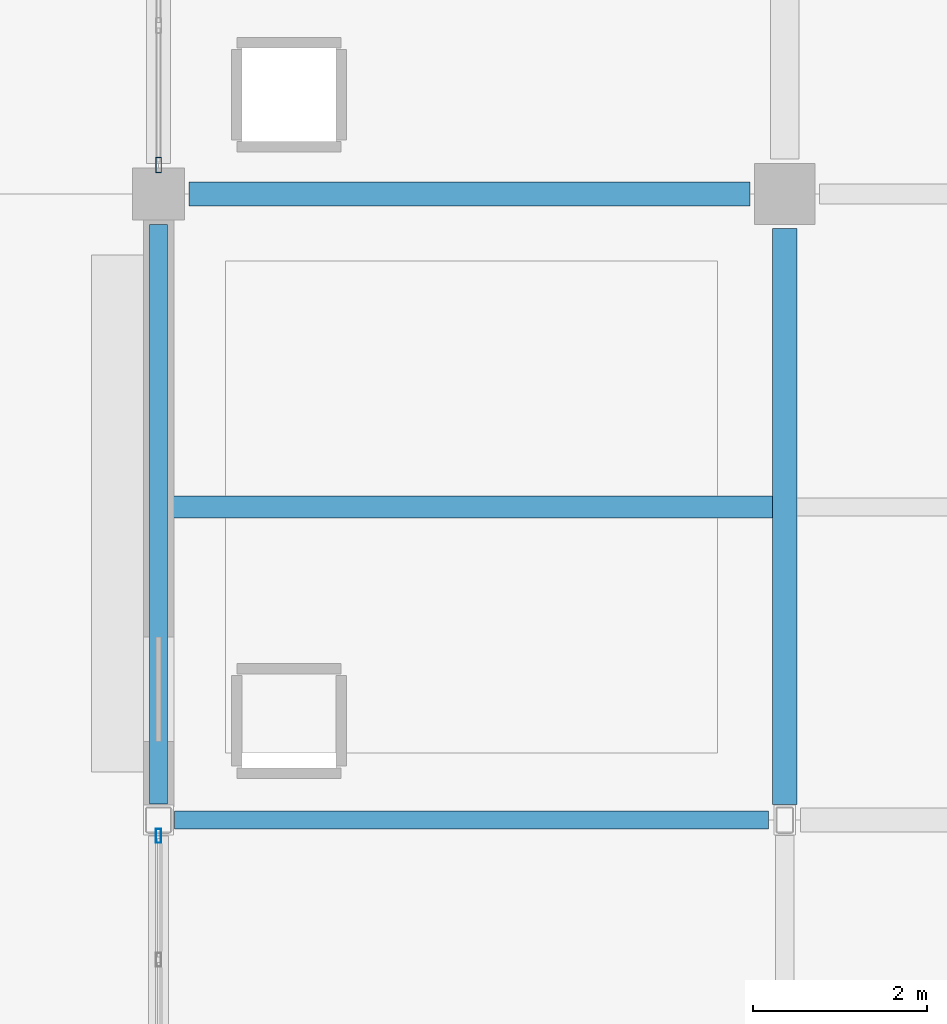
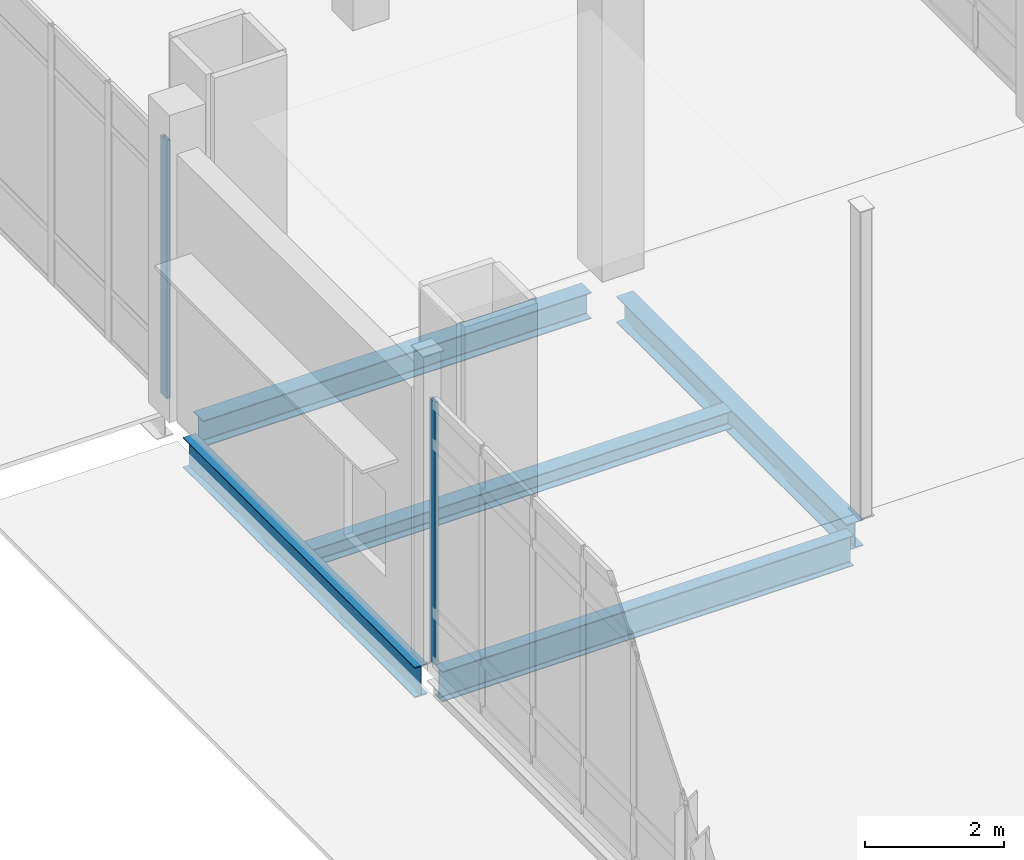
# One storey, part 68 of 229: 5 beams, 2 members, 2 elements without a shape of their own.
"""IFC4 building model written with IfcOpenShell, lengths in metres."""

from ifc_helpers import new_model, si_unit, direction, frame, origin, origin_2d, place, context, subcontext, project, spatial, hollow_rectangle, i_section, extrude, material, layer, layer_set, material_profile, profile_set, type_object, element, aggregate, save


model = new_model("IFC4")

# Units and contexts
model_context = context("Model", 3, precision=1e-05, world=origin(), true_north=direction((0.0, 1.0)))
body_context = subcontext(model_context, "Body", "Model", "MODEL_VIEW")
ifc_project = project(units=[si_unit("LENGTHUNIT", "METRE"), si_unit("AREAUNIT", "SQUARE_METRE"), si_unit("VOLUMEUNIT", "CUBIC_METRE"), si_unit("PLANEANGLEUNIT", "RADIAN"), si_unit("MASSUNIT", "GRAM", prefix="KILO")], contexts=[model_context])

# Site, building, storey
site_placement = place(None, origin())
site = spatial("IfcSite", under=ifc_project, at=site_placement, CompositionType="ELEMENT")
building_placement = place(site_placement, origin())
building = spatial("IfcBuilding", under=site, at=building_placement, Name="Calvrana Isthmian Art Gallery", CompositionType="ELEMENT")
storey_placement = place(building_placement, origin())
storey = spatial("IfcBuildingStorey", under=building, at=storey_placement, Name="L00", CompositionType="ELEMENT", Elevation=0.0)

# Beams
ifc_material_1 = material(Name="Steel ASTM A992 Gr 50", Category="steel")
ifc_material_profile_1 = material_profile(ifc_material_1, i_section(OverallWidth=0.279052734375, OverallDepth=0.4619140625, WebThickness=0.0107421875, FlangeThickness=0.017333984375, FilletRadius=0.02001953125, at=origin_2d()), Name="W18X76")
ifc_profile_set_1 = profile_set([ifc_material_profile_1], Name="Steel ASTM A992 Gr 50")
beam_type_1 = type_object("IfcBeamType", Name="BM-G-W18X76", PredefinedType="BEAM", material=ifc_profile_set_1)
beam_1_placement = place(storey_placement, frame((0.35009765625, 76.800048828125, -0.51611328125), z_axis=(1.0, 0.0, 0.0), x_axis=(0.0, 1.0, 0.0)))
element("IfcBeam", 1, at=beam_1_placement, inside=storey, type_object=beam_type_1, Name="Girder X L00 01-02/K", PredefinedType="BEAM", context=body_context, shape_type="SweptSolid", body=[
    extrude(i_section(OverallWidth=0.279052734375, OverallDepth=0.4619140625, WebThickness=0.0107421875, FlangeThickness=0.017333984375, FilletRadius=0.02001953125, at=origin_2d()), origin(), (0.0, 0.0, 1.0), 6.449951171875),
])
beam_2_placement = place(storey_placement, frame((7.199951171875, 69.778076171875, -0.51611328125), z_axis=(0.0, 1.0, 0.0), x_axis=(-1.0, 0.0, 0.0)))
element("IfcBeam", 2, at=beam_2_placement, inside=storey, type_object=beam_type_1, Name="Girder Y L00 02/J-K", PredefinedType="BEAM", context=body_context, shape_type="SweptSolid", body=[
    extrude(i_section(OverallWidth=0.279052734375, OverallDepth=0.4619140625, WebThickness=0.0107421875, FlangeThickness=0.017333984375, FilletRadius=0.02001953125, at=origin_2d()), origin(), (0.0, 0.0, 1.0), 6.621826171875),
])
ifc_material_profile_2 = material_profile(ifc_material_1, i_section(OverallWidth=0.208984375, OverallDepth=0.532958984375, WebThickness=0.01025390625, FlangeThickness=0.015625, FilletRadius=0.02099609375, at=origin_2d()), Name="W21X62")
ifc_profile_set_2 = profile_set([ifc_material_profile_2], Name="Steel ASTM A992 Gr 50")
beam_type_2 = type_object("IfcBeamType", Name="BM-G-W21X62", PredefinedType="BEAM", material=ifc_profile_set_2)
beam_3_placement = place(storey_placement, frame((0.185546875, 69.60009765625, -0.551513671875), z_axis=(1.0, 0.0, 0.0), x_axis=(0.0, 1.0, 0.0)))
element("IfcBeam", 3, at=beam_3_placement, inside=storey, type_object=beam_type_2, Name="Girder X L00 01-02/J", PredefinedType="BEAM", context=body_context, shape_type="SweptSolid", body=[
    extrude(i_section(OverallWidth=0.208984375, OverallDepth=0.532958984375, WebThickness=0.01025390625, FlangeThickness=0.015625, FilletRadius=0.02099609375, at=origin_2d()), origin(), (0.0, 0.0, 1.0), 6.83056640625),
])
beam_4_placement = place(storey_placement, frame((0.0, 69.781494140625, -0.551513671875), z_axis=(0.0, 1.0, 0.0), x_axis=(-1.0, 0.0, 0.0)))
element("IfcBeam", 4, at=beam_4_placement, inside=storey, type_object=beam_type_2, Name="Girder Y L00 01/J-K", PredefinedType="BEAM", context=body_context, shape_type="SweptSolid", body=[
    extrude(i_section(OverallWidth=0.208984375, OverallDepth=0.532958984375, WebThickness=0.01025390625, FlangeThickness=0.015625, FilletRadius=0.02099609375, at=origin_2d()), origin(), (0.0, 0.0, 1.0), 6.66845703125),
])
ifc_material_profile_3 = material_profile(ifc_material_1, i_section(OverallWidth=0.25390625, OverallDepth=0.306884765625, WebThickness=0.0087890625, FlangeThickness=0.0146484375, FilletRadius=0.01611328125, at=origin_2d()), Name="W12X53")
ifc_profile_set_3 = profile_set([ifc_material_profile_3], Name="Steel ASTM A992 Gr 50")
beam_type_3 = type_object("IfcBeamType", Name="BM-J-W12X53", PredefinedType="JOIST", material=ifc_profile_set_3)
beam_5_placement = place(storey_placement, frame((0.1044921875, 73.199951171875, -0.4384765625), z_axis=(1.0, 0.0, 0.0), x_axis=(0.0, 1.0, 0.0)))
element("IfcBeam", 5, at=beam_5_placement, inside=storey, type_object=beam_type_3, Name="Composite joist L00 bay 00-09", PredefinedType="JOIST", context=body_context, shape_type="SweptSolid", body=[
    extrude(i_section(OverallWidth=0.25390625, OverallDepth=0.306884765625, WebThickness=0.0087890625, FlangeThickness=0.0146484375, FilletRadius=0.01611328125, at=origin_2d()), origin(), (0.0, 0.0, 1.0), 6.9560546875),
])

# Curtain wall, member
ifc_material_2 = material(Name="Anodized bronze aluminium 6063-T6", Category="aluminium")
ifc_layer_1 = layer(ifc_material_2, 0.179931640625, Name="Anodized bronze aluminium 6063-T6")
ifc_layer_set_1 = layer_set([ifc_layer_1], Name="Anodized bronze aluminium 6063-T6")
curtain_wall_type_1 = type_object("IfcCurtainWallType", Name="CW-STICK-073X46", PredefinedType="NOTDEFINED", material=ifc_layer_set_1)
curtain_wall_1_placement = place(storey_placement, origin())
curtain_wall_1 = element("IfcCurtainWall", 6, at=curtain_wall_1_placement, inside=storey, type_object=curtain_wall_type_1, Name="Curtain wall CW-049", PredefinedType="NOTDEFINED")
ifc_material_profile_4 = material_profile(ifc_material_2, hollow_rectangle(XDim=0.06005859375, YDim=0.159912109375, WallThickness=0.00390625, at=origin_2d()), Name="CWM60X160")
ifc_profile_set_4 = profile_set([ifc_material_profile_4], Name="Anodized bronze aluminium 6063-T6")
member_type_1 = type_object("IfcMemberType", Name="CWM-CWM60X160", PredefinedType="MULLION", material=ifc_profile_set_4)
member_1_placement = place(storey_placement, frame((0.0, 69.41748046875, 0.0), z_axis=(0.0, 0.0, 1.0), x_axis=(-1.0, 0.0, 0.0)))
member_1 = element("IfcMember", 7, at=member_1_placement, type_object=member_type_1, Name="CW-049 mullion 6", PredefinedType="MULLION", context=body_context, shape_type="SweptSolid", body=[
    extrude(hollow_rectangle(XDim=0.06005859375, YDim=0.159912109375, WallThickness=0.00390625, at=origin_2d()), origin(), (0.0, 0.0, 1.0), 4.60693359375),
])
aggregate(curtain_wall_1, [member_1])

ifc_layer_2 = layer(ifc_material_2, 0.179931640625, Name="Anodized bronze aluminium 6063-T6")
ifc_layer_set_2 = layer_set([ifc_layer_2], Name="Anodized bronze aluminium 6063-T6")
curtain_wall_type_2 = type_object("IfcCurtainWallType", Name="CW-STICK-066X45", PredefinedType="NOTDEFINED", material=ifc_layer_set_2)
curtain_wall_2_placement = place(storey_placement, origin())
curtain_wall_2 = element("IfcCurtainWall", 8, at=curtain_wall_2_placement, inside=storey, type_object=curtain_wall_type_2, Name="Curtain wall CW-050", PredefinedType="NOTDEFINED")
ifc_material_profile_5 = material_profile(ifc_material_2, hollow_rectangle(XDim=0.06494140625, YDim=0.179931640625, WallThickness=0.00439453125, at=origin_2d()), Name="CWM65X180")
ifc_profile_set_5 = profile_set([ifc_material_profile_5], Name="Anodized bronze aluminium 6063-T6")
member_type_2 = type_object("IfcMemberType", Name="CWM-CWM65X180", PredefinedType="MULLION", material=ifc_profile_set_5)
member_2_placement = place(storey_placement, frame((0.0, 77.132568359375, 0.0), z_axis=(0.0, 0.0, 1.0), x_axis=(-1.0, 0.0, 0.0)))
member_2 = element("IfcMember", 9, at=member_2_placement, type_object=member_type_2, Name="CW-050 mullion 1", PredefinedType="MULLION", context=body_context, shape_type="SweptSolid", body=[
    extrude(hollow_rectangle(XDim=0.06494140625, YDim=0.179931640625, WallThickness=0.00439453125, at=origin_2d()), origin(), (0.0, 0.0, 1.0), 4.528076171875),
])
aggregate(curtain_wall_2, [member_2])

save(model, "model.ifc")
